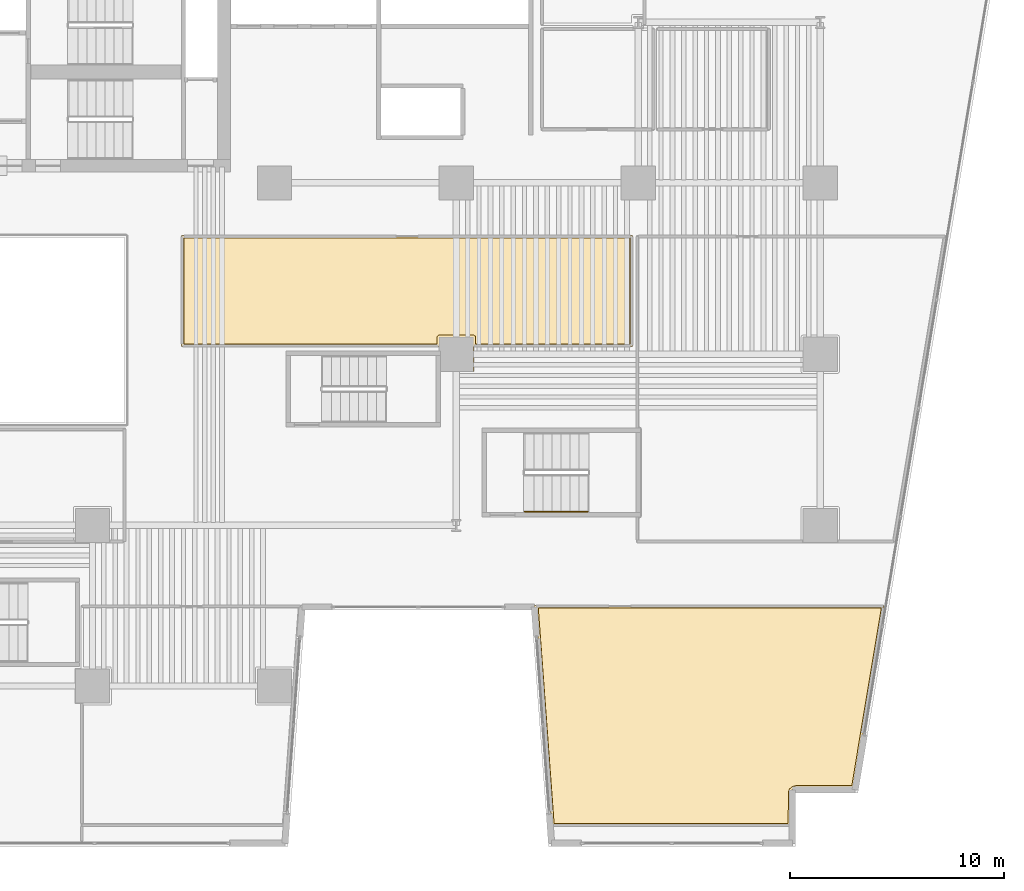
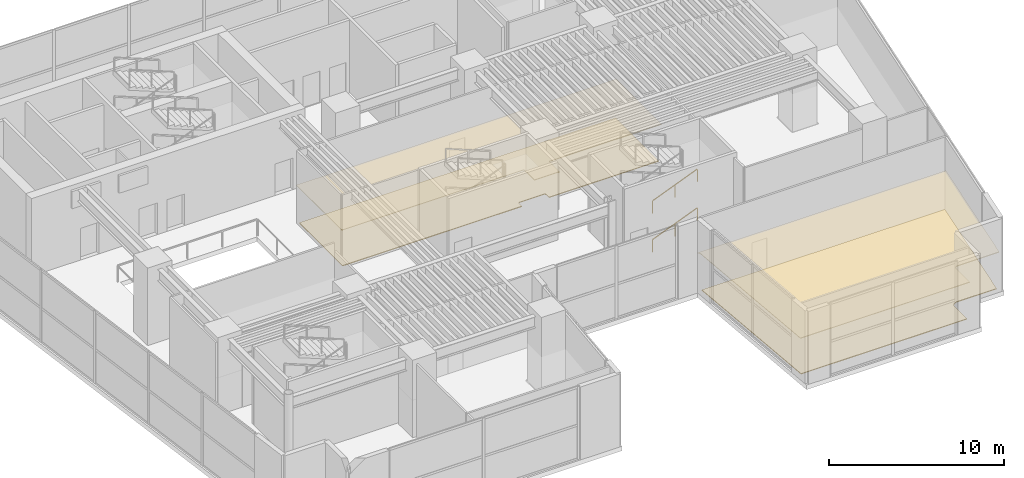
# One storey, part 14 of 16: 4 coverings, 2 railings.
"""IFC4 building model written with IfcOpenShell, lengths in metres."""

from ifc_helpers import new_model, si_unit, direction, frame, origin, origin_2d, place, context, subcontext, project, spatial, polyline, rectangle, outline, extrude, material, layer, layer_set, type_object, element, save


model = new_model("IFC4")

# Units and contexts
model_context = context("Model", 3, precision=1e-05, world=origin(), true_north=direction((0.0, 1.0)))
body_context = subcontext(model_context, "Body", "Model", "MODEL_VIEW")
ifc_project = project(units=[si_unit("LENGTHUNIT", "METRE"), si_unit("AREAUNIT", "SQUARE_METRE"), si_unit("VOLUMEUNIT", "CUBIC_METRE"), si_unit("PLANEANGLEUNIT", "RADIAN"), si_unit("MASSUNIT", "GRAM", prefix="KILO")], contexts=[model_context])

# Site, building, storey
site_placement = place(None, origin())
site = spatial("IfcSite", under=ifc_project, at=site_placement, CompositionType="ELEMENT")
building_placement = place(site_placement, origin())
building = spatial("IfcBuilding", under=site, at=building_placement, Name="Caeloran Harvest Quay", CompositionType="ELEMENT")
storey_placement = place(building_placement, frame((0.0, 0.0, 10.800048828125)))
storey = spatial("IfcBuildingStorey", under=building, at=storey_placement, Name="L03", CompositionType="ELEMENT", Elevation=10.800048828125)

# Coverings
ifc_material_1 = material(Name="Perforated Mineral-Fibre Acoustic Ceiling Tile", Category="ceiling")
ifc_layer_1 = layer(ifc_material_1, 0.0400390625, Name="Perforated Mineral-Fibre Acoustic Ceiling Tile")
ifc_layer_set_1 = layer_set([ifc_layer_1], Name="Perforated Mineral-Fibre Acoustic Ceiling Tile")
covering_type_1 = type_object("IfcCoveringType", Name="COV-CEILING-ACOUSTIC", PredefinedType="CEILING", material=ifc_layer_set_1)
covering_1_placement = place(storey_placement, frame((0.0, 0.0, 2.599853515625)))
element("IfcCovering", 1, at=covering_1_placement, inside=storey, type_object=covering_type_1, Name="Farm-to-Table Botanical Bistro Acoustic Ceiling", PredefinedType="CEILING", context=body_context, shape_type="SweptSolid", body=[
    extrude(outline(polyline([(52.57373046875, 2.719970703125), (49.7802734375, 2.71044921875), (49.70458984375, 2.669921875), (49.64990234375, 2.603759765625), (49.625, 2.521484375), (49.6240234375, 0.9599609375), (38.455078125, 0.9599609375), (37.723388671875, 11.054931640625), (37.68896484375, 11.158935546875), (37.60302734375, 11.260009765625), (53.9951171875, 11.260009765625), (52.57373046875, 2.719970703125)])), origin(), (0.0, 0.0, 1.0), 0.0400390625),
])
covering_2_placement = place(storey_placement, frame((0.0, 0.0, 2.599853515625)))
element("IfcCovering", 2, at=covering_2_placement, inside=storey, type_object=covering_type_1, Name="Artisanal Fermentation and Tea Gallery Acoustic Ceiling", PredefinedType="CEILING", context=body_context, shape_type="SweptSolid", body=[
    extrude(outline(polyline([(34.820068359375, 22.179931640625), (33.179931640625, 22.179931640625), (33.179931640625, 23.360107421875), (21.159912109375, 23.360107421875), (21.159912109375, 28.5400390625), (42.239990234375, 28.5400390625), (42.239990234375, 23.360107421875), (34.820068359375, 23.360107421875), (34.820068359375, 22.179931640625)])), origin(), (0.0, 0.0, 1.0), 0.0400390625),
])
ifc_material_2 = material(Name="Calcium-Sulphate Raised Access Floor and Terrazzo Finish", Category="flooring")
ifc_layer_2 = layer(ifc_material_2, 0.050048828125, Name="Calcium-Sulphate Raised Access Floor and Terrazzo Finish")
ifc_layer_set_2 = layer_set([ifc_layer_2], Name="Calcium-Sulphate Raised Access Floor and Terrazzo Finish")
covering_type_2 = type_object("IfcCoveringType", Name="COV-FLOOR-RAISED", PredefinedType="FLOORING", material=ifc_layer_set_2)
covering_3_placement = place(storey_placement, origin())
element("IfcCovering", 3, at=covering_3_placement, inside=storey, type_object=covering_type_2, Name="Farm-to-Table Botanical Bistro Raised Finish Flooring", PredefinedType="FLOORING", context=body_context, shape_type="SweptSolid", body=[
    extrude(outline(polyline([(37.82861328125, 11.139892578125), (53.853515625, 11.139892578125), (52.471923828125, 2.840087890625), (49.843994140625, 2.840087890625), (49.680419921875, 2.7978515625), (49.55908203125, 2.685546875), (49.506103515625, 2.537109375), (49.50390625, 1.080078125), (38.566650390625, 1.080078125), (37.82861328125, 11.139892578125)])), origin(), (0.0, 0.0, 1.0), 0.050048828125),
])
covering_4_placement = place(storey_placement, origin())
element("IfcCovering", 4, at=covering_4_placement, inside=storey, type_object=covering_type_2, Name="Artisanal Fermentation and Tea Gallery Raised Finish Flooring", PredefinedType="FLOORING", context=body_context, shape_type="SweptSolid", body=[
    extrude(outline(polyline([(42.1201171875, 28.419921875), (42.1201171875, 23.47998046875), (34.89501953125, 23.47998046875), (34.8935546875, 23.83056640625), (34.81494140625, 23.89501953125), (33.16943359375, 23.8935546875), (33.1064453125, 23.83056640625), (33.10498046875, 23.47998046875), (21.280029296875, 23.47998046875), (21.280029296875, 28.419921875), (42.1201171875, 28.419921875)])), origin(), (0.0, 0.0, 1.0), 0.050048828125),
])

# Railings
ifc_material_3 = material(Name="Brushed Stainless Steel Grade 304", Category="steel")
ifc_layer_3 = layer(ifc_material_3, 0.050048828125, Name="Brushed Stainless Steel Grade 304")
ifc_layer_set_3 = layer_set([ifc_layer_3], Name="Brushed Stainless Steel Grade 304")
railing_type = type_object("IfcRailingType", Name="STAIR-HANDRAIL-900", PredefinedType="HANDRAIL", material=ifc_layer_set_3)
railing_1_placement = place(storey_placement, frame((37.199951171875, 15.64990234375, 0.168701171875)))
element("IfcRailing", 5, at=railing_1_placement, inside=storey, type_object=railing_type, Name="L03 ST-P2 stair handrail 1", PredefinedType="HANDRAIL", context=body_context, shape_type="SweptSolid", body=[
    extrude(rectangle(XDim=0.048095703125, YDim=0.048095703125, at=origin_2d()), frame((0.0, 0.0, 0.8759765625), z_axis=(0.927912314548, 0.0, 0.372798519995), x_axis=(0.0, 1.0, 0.0)), (0.0, 0.0, 1.0), 3.16845703125),
    extrude(rectangle(XDim=0.0419921875, YDim=0.0419921875, at=origin_2d()), origin(), (0.0, 0.0, 1.0), 0.851806640625),
    extrude(rectangle(XDim=0.0419921875, YDim=0.0419921875, at=origin_2d()), frame((1.469970703125, 0.0, 0.590576171875)), (0.0, 0.0, 1.0), 0.851806640625),
    extrude(rectangle(XDim=0.0419921875, YDim=0.0419921875, at=origin_2d()), frame((2.93994140625, 0.0, 1.18115234375)), (0.0, 0.0, 1.0), 0.851806640625),
])
railing_2_placement = place(storey_placement, frame((37.199951171875, 15.64990234375, 2.86865234375)))
element("IfcRailing", 6, at=railing_2_placement, inside=storey, type_object=railing_type, Name="L03 ST-P2 stair handrail 3", PredefinedType="HANDRAIL", context=body_context, shape_type="SweptSolid", body=[
    extrude(rectangle(XDim=0.048095703125, YDim=0.048095703125, at=origin_2d()), frame((0.0, 0.0, 0.8759765625), z_axis=(0.927885657282, 0.0, 0.372864864274), x_axis=(0.0, 1.0, 0.0)), (0.0, 0.0, 1.0), 3.16845703125),
    extrude(rectangle(XDim=0.0419921875, YDim=0.0419921875, at=origin_2d()), origin(), (0.0, 0.0, 1.0), 0.851806640625),
    extrude(rectangle(XDim=0.0419921875, YDim=0.0419921875, at=origin_2d()), frame((1.469970703125, 0.0, 0.5908203125)), (0.0, 0.0, 1.0), 0.851806640625),
    extrude(rectangle(XDim=0.0419921875, YDim=0.0419921875, at=origin_2d()), frame((2.93994140625, 0.0, 1.181396484375)), (0.0, 0.0, 1.0), 0.851806640625),
])

save(model, "model.ifc")
